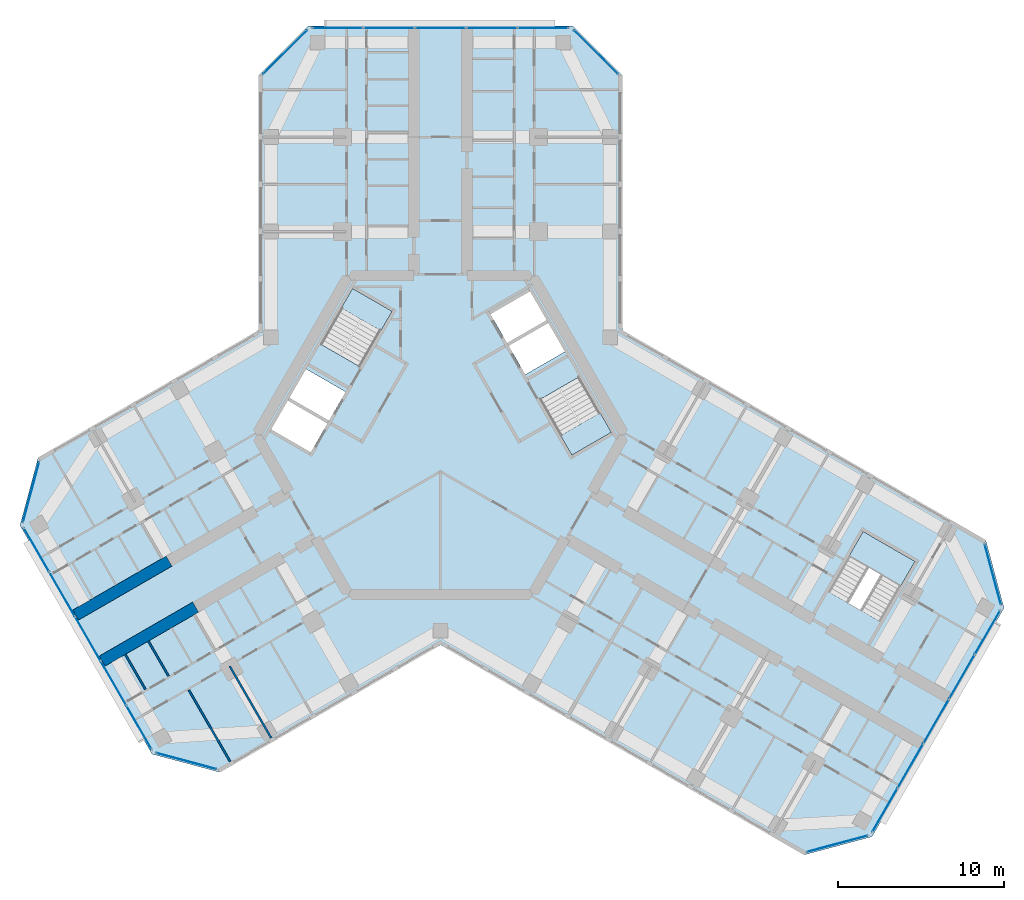
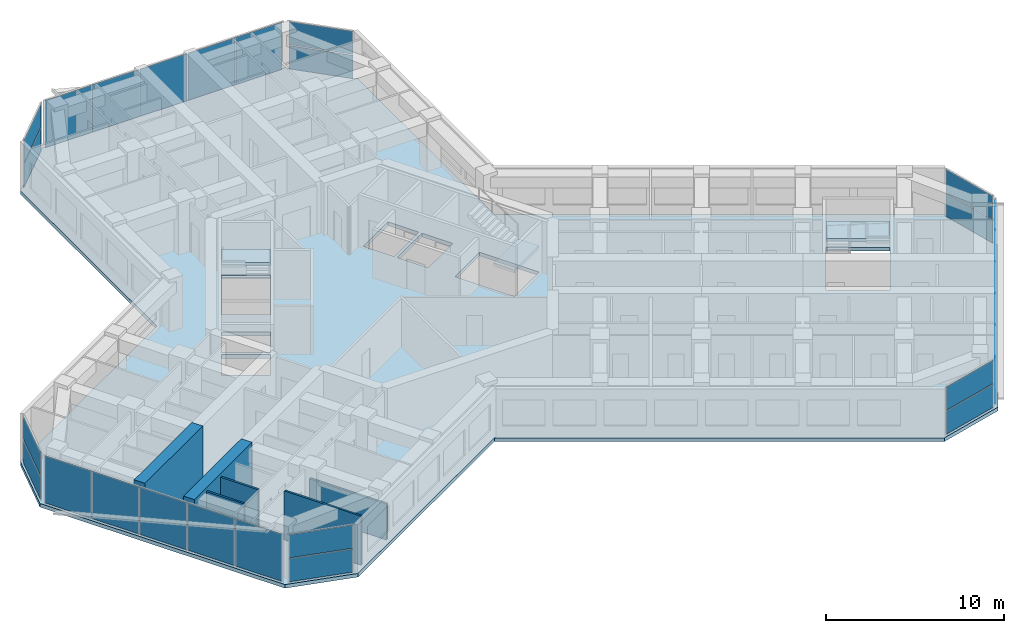
# One storey, part 7 of 16: 27 plates, 6 walls, 4 slabs, 12 elements without a shape of their own.
"""IFC4 building model written with IfcOpenShell, lengths in metres."""

from ifc_helpers import new_model, si_unit, direction, frame, frame_2d, origin, origin_2d, place, context, subcontext, project, spatial, polyline, rectangle, outline, extrude, material, layer, layer_set, type_object, element, aggregate, save


model = new_model("IFC4")

# Units and contexts
model_context = context("Model", 3, precision=1e-05, world=origin(), true_north=direction((0.0, 1.0)))
body_context = subcontext(model_context, "Body", "Model", "MODEL_VIEW")
ifc_project = project(units=[si_unit("LENGTHUNIT", "METRE"), si_unit("AREAUNIT", "SQUARE_METRE"), si_unit("VOLUMEUNIT", "CUBIC_METRE"), si_unit("PLANEANGLEUNIT", "RADIAN"), si_unit("MASSUNIT", "GRAM", prefix="KILO")], contexts=[model_context])

# Site, building, storey
site_placement = place(None, origin())
site = spatial("IfcSite", under=ifc_project, at=site_placement, CompositionType="ELEMENT")
building_placement = place(site_placement, origin())
building = spatial("IfcBuilding", under=site, at=building_placement, Name="Kosmar Iwan School Tower", CompositionType="ELEMENT")
storey_placement = place(building_placement, frame((0.0, 0.0, 222.60009765625)))
storey = spatial("IfcBuildingStorey", under=building, at=storey_placement, Name="L56", CompositionType="ELEMENT", Elevation=222.60009765625)

# Curtain wall, plates
ifc_material_1 = material(Name="Dark glass in black aluminium frame", Category="aluminium")
curtain_wall_type_1 = type_object("IfcCurtainWallType", Name="Chamfer curtain wall dark glass", PredefinedType="USERDEFINED", material=ifc_material_1)
curtain_wall_1_placement = place(storey_placement, origin())
curtain_wall_1 = element("IfcCurtainWall", 1, at=curtain_wall_1_placement, inside=storey, type_object=curtain_wall_type_1, Name="Curtain wall L56-F00", ObjectType="FACETED CURTAIN WALL", PredefinedType="USERDEFINED")
ifc_material_2 = material(Name="Dark glass", Category="glass")
ifc_layer_1 = layer(ifc_material_2, 0.028076171875)
ifc_layer_set_1 = layer_set([ifc_layer_1], Name="Dark glass panel 28")
plate_type = type_object("IfcPlateType", Name="Dark glass panel 28", PredefinedType="CURTAIN_PANEL", material=ifc_layer_set_1)
plate_1_placement = place(storey_placement, frame((23.908203125, -24.61328125, 0.059814453125), z_axis=(0.0, 0.0, 1.0), x_axis=(0.965925875495, 0.258818861462, 0.0)))
plate_1 = element("IfcPlate", 2, at=plate_1_placement, type_object=plate_type, Name="CW2 panel 1.1", PredefinedType="CURTAIN_PANEL", context=body_context, shape_type="SweptSolid", body=[
    extrude(rectangle(XDim=3.718994140625, YDim=0.028076171875, at=origin_2d()), origin(), (0.0, 0.0, 1.0), 1.5849609375),
])
plate_2_placement = place(storey_placement, frame((23.908203125, -24.61328125, 1.704833984375), z_axis=(0.0, 0.0, 1.0), x_axis=(0.965925875495, 0.258818861462, 0.0)))
plate_2 = element("IfcPlate", 3, at=plate_2_placement, type_object=plate_type, Name="CW2 panel 1.2", PredefinedType="CURTAIN_PANEL", context=body_context, shape_type="SweptSolid", body=[
    extrude(rectangle(XDim=3.718994140625, YDim=0.028076171875, at=origin_2d()), origin(), (0.0, 0.0, 1.0), 1.5849609375),
])
aggregate(curtain_wall_1, [plate_1, plate_2])

ifc_material_3 = material(Name="Dark glass in black aluminium frame", Category="aluminium")
curtain_wall_type_2 = type_object("IfcCurtainWallType", Name="Tower curtain wall dark glass", PredefinedType="USERDEFINED", material=ifc_material_3)
curtain_wall_2_placement = place(storey_placement, origin())
curtain_wall_2 = element("IfcCurtainWall", 4, at=curtain_wall_2_placement, inside=storey, type_object=curtain_wall_type_2, Name="Curtain wall L56-F01", ObjectType="UNITISED CURTAIN WALL", PredefinedType="USERDEFINED")
plate_3_placement = place(storey_placement, frame((26.764404296875, -22.592529296875, 0.059814453125), z_axis=(0.0, 0.0, 1.0), x_axis=(0.499999997325, 0.866025405329, 0.0)))
plate_3 = element("IfcPlate", 5, at=plate_3_placement, type_object=plate_type, Name="CW1 panel 1.1", PredefinedType="CURTAIN_PANEL", context=body_context, shape_type="SweptSolid", body=[
    extrude(rectangle(XDim=3.00927734375, YDim=0.028076171875, at=origin_2d()), origin(), (0.0, 0.0, 1.0), 3.22998046875),
])
plate_4_placement = place(storey_placement, frame((28.306640625, -19.921630859375, 0.059814453125), z_axis=(0.0, 0.0, 1.0), x_axis=(0.499999997325, 0.866025405329, 0.0)))
plate_4 = element("IfcPlate", 6, at=plate_4_placement, type_object=plate_type, Name="CW1 panel 2.1", PredefinedType="CURTAIN_PANEL", context=body_context, shape_type="SweptSolid", body=[
    extrude(rectangle(XDim=3.039306640625, YDim=0.028076171875, at=origin_2d()), origin(), (0.0, 0.0, 1.0), 3.22998046875),
])
plate_5_placement = place(storey_placement, frame((29.856201171875, -17.237548828125, 0.059814453125), z_axis=(0.0, 0.0, 1.0), x_axis=(0.499999997325, 0.866025405329, 0.0)))
plate_5 = element("IfcPlate", 7, at=plate_5_placement, type_object=plate_type, Name="CW1 panel 3.1", PredefinedType="CURTAIN_PANEL", context=body_context, shape_type="SweptSolid", body=[
    extrude(rectangle(XDim=3.039306640625, YDim=0.028076171875, at=origin_2d()), origin(), (0.0, 0.0, 1.0), 3.22998046875),
])
plate_6_placement = place(storey_placement, frame((31.40576171875, -14.553466796875, 0.059814453125), z_axis=(0.0, 0.0, 1.0), x_axis=(0.499999997325, 0.866025405329, 0.0)))
plate_6 = element("IfcPlate", 8, at=plate_6_placement, type_object=plate_type, Name="CW1 panel 4.1", PredefinedType="CURTAIN_PANEL", context=body_context, shape_type="SweptSolid", body=[
    extrude(rectangle(XDim=3.039306640625, YDim=0.028076171875, at=origin_2d()), origin(), (0.0, 0.0, 1.0), 3.22998046875),
])
plate_7_placement = place(storey_placement, frame((32.947998046875, -11.88232421875, 0.059814453125), z_axis=(0.0, 0.0, 1.0), x_axis=(0.499999997325, 0.866025405329, 0.0)))
plate_7 = element("IfcPlate", 9, at=plate_7_placement, type_object=plate_type, Name="CW1 panel 5.1", PredefinedType="CURTAIN_PANEL", context=body_context, shape_type="SweptSolid", body=[
    extrude(rectangle(XDim=3.00927734375, YDim=0.028076171875, at=origin_2d()), origin(), (0.0, 0.0, 1.0), 3.22998046875),
])
aggregate(curtain_wall_2, [plate_3, plate_4, plate_5, plate_6, plate_7])

curtain_wall_3_placement = place(storey_placement, origin())
curtain_wall_3 = element("IfcCurtainWall", 10, at=curtain_wall_3_placement, inside=storey, type_object=curtain_wall_type_1, Name="Curtain wall L56-F02", ObjectType="FACETED CURTAIN WALL", PredefinedType="USERDEFINED")
plate_8_placement = place(storey_placement, frame((33.269775390625, -8.3984375, 0.059814453125), z_axis=(0.0, 0.0, 1.0), x_axis=(-0.258818861462, 0.965925875495, 0.0)))
plate_8 = element("IfcPlate", 11, at=plate_8_placement, type_object=plate_type, Name="CW2 panel 1.1", PredefinedType="CURTAIN_PANEL", context=body_context, shape_type="SweptSolid", body=[
    extrude(rectangle(XDim=3.718994140625, YDim=0.028076171875, at=origin_2d()), origin(), (0.0, 0.0, 1.0), 1.5849609375),
])
plate_9_placement = place(storey_placement, frame((33.269775390625, -8.3984375, 1.704833984375), z_axis=(0.0, 0.0, 1.0), x_axis=(-0.258818861462, 0.965925875495, 0.0)))
plate_9 = element("IfcPlate", 12, at=plate_9_placement, type_object=plate_type, Name="CW2 panel 1.2", PredefinedType="CURTAIN_PANEL", context=body_context, shape_type="SweptSolid", body=[
    extrude(rectangle(XDim=3.718994140625, YDim=0.028076171875, at=origin_2d()), origin(), (0.0, 0.0, 1.0), 1.5849609375),
])
aggregate(curtain_wall_3, [plate_8, plate_9])

curtain_wall_4_placement = place(storey_placement, origin())
curtain_wall_4 = element("IfcCurtainWall", 13, at=curtain_wall_4_placement, inside=storey, type_object=curtain_wall_type_1, Name="Curtain wall L56-F05", ObjectType="FACETED CURTAIN WALL", PredefinedType="USERDEFINED")
plate_10_placement = place(storey_placement, frame((9.361572265625, 23.0615234375, 0.059814453125), z_axis=(0.0, 0.0, 1.0), x_axis=(-0.707106781187, 0.707106781187, 0.0)))
plate_10 = element("IfcPlate", 14, at=plate_10_placement, type_object=plate_type, Name="CW2 panel 1.1", PredefinedType="CURTAIN_PANEL", context=body_context, shape_type="SweptSolid", body=[
    extrude(rectangle(XDim=3.718994140625, YDim=0.028076171875, at=origin_2d()), origin(), (0.0, 0.0, 1.0), 1.5849609375),
])
plate_11_placement = place(storey_placement, frame((9.361572265625, 23.0615234375, 1.704833984375), z_axis=(0.0, 0.0, 1.0), x_axis=(-0.707106781187, 0.707106781187, 0.0)))
plate_11 = element("IfcPlate", 15, at=plate_11_placement, type_object=plate_type, Name="CW2 panel 1.2", PredefinedType="CURTAIN_PANEL", context=body_context, shape_type="SweptSolid", body=[
    extrude(rectangle(XDim=3.718994140625, YDim=0.028076171875, at=origin_2d()), origin(), (0.0, 0.0, 1.0), 1.5849609375),
])
aggregate(curtain_wall_4, [plate_10, plate_11])

curtain_wall_5_placement = place(storey_placement, origin())
curtain_wall_5 = element("IfcCurtainWall", 16, at=curtain_wall_5_placement, inside=storey, type_object=curtain_wall_type_2, Name="Curtain wall L56-F06", ObjectType="UNITISED CURTAIN WALL", PredefinedType="USERDEFINED")
plate_12_placement = place(storey_placement, frame((6.18359375, 24.52490234375, 0.059814453125), z_axis=(0.0, 0.0, 1.0), x_axis=(-1.0, 0.0, 0.0)))
plate_12 = element("IfcPlate", 17, at=plate_12_placement, type_object=plate_type, Name="CW1 panel 1.1", PredefinedType="CURTAIN_PANEL", context=body_context, shape_type="SweptSolid", body=[
    extrude(rectangle(XDim=3.00927734375, YDim=0.028076171875, at=origin_2d()), origin(), (0.0, 0.0, 1.0), 3.22998046875),
])
plate_13_placement = place(storey_placement, frame((3.099365234375, 24.52490234375, 0.059814453125), z_axis=(0.0, 0.0, 1.0), x_axis=(-1.0, 0.0, 0.0)))
plate_13 = element("IfcPlate", 18, at=plate_13_placement, type_object=plate_type, Name="CW1 panel 2.1", PredefinedType="CURTAIN_PANEL", context=body_context, shape_type="SweptSolid", body=[
    extrude(rectangle(XDim=3.039306640625, YDim=0.028076171875, at=origin_2d()), origin(), (0.0, 0.0, 1.0), 3.22998046875),
])
plate_14_placement = place(storey_placement, frame((0.0, 24.52490234375, 0.059814453125), z_axis=(0.0, 0.0, 1.0), x_axis=(-1.0, 0.0, 0.0)))
plate_14 = element("IfcPlate", 19, at=plate_14_placement, type_object=plate_type, Name="CW1 panel 3.1", PredefinedType="CURTAIN_PANEL", context=body_context, shape_type="SweptSolid", body=[
    extrude(rectangle(XDim=3.039306640625, YDim=0.028076171875, at=origin_2d()), origin(), (0.0, 0.0, 1.0), 3.22998046875),
])
plate_15_placement = place(storey_placement, frame((-3.099365234375, 24.52490234375, 0.059814453125), z_axis=(0.0, 0.0, 1.0), x_axis=(-1.0, 0.0, 0.0)))
plate_15 = element("IfcPlate", 20, at=plate_15_placement, type_object=plate_type, Name="CW1 panel 4.1", PredefinedType="CURTAIN_PANEL", context=body_context, shape_type="SweptSolid", body=[
    extrude(rectangle(XDim=3.039306640625, YDim=0.028076171875, at=origin_2d()), origin(), (0.0, 0.0, 1.0), 3.22998046875),
])
plate_16_placement = place(storey_placement, frame((-6.18359375, 24.52490234375, 0.059814453125), z_axis=(0.0, 0.0, 1.0), x_axis=(-1.0, 0.0, 0.0)))
plate_16 = element("IfcPlate", 21, at=plate_16_placement, type_object=plate_type, Name="CW1 panel 5.1", PredefinedType="CURTAIN_PANEL", context=body_context, shape_type="SweptSolid", body=[
    extrude(rectangle(XDim=3.00927734375, YDim=0.028076171875, at=origin_2d()), origin(), (0.0, 0.0, 1.0), 3.22998046875),
])
aggregate(curtain_wall_5, [plate_12, plate_13, plate_14, plate_15, plate_16])

curtain_wall_6_placement = place(storey_placement, origin())
curtain_wall_6 = element("IfcCurtainWall", 22, at=curtain_wall_6_placement, inside=storey, type_object=curtain_wall_type_1, Name="Curtain wall L56-F07", ObjectType="FACETED CURTAIN WALL", PredefinedType="USERDEFINED")
plate_17_placement = place(storey_placement, frame((-9.361572265625, 23.0615234375, 0.059814453125), z_axis=(0.0, 0.0, 1.0), x_axis=(-0.707106781187, -0.707106781187, 0.0)))
plate_17 = element("IfcPlate", 23, at=plate_17_placement, type_object=plate_type, Name="CW2 panel 1.1", PredefinedType="CURTAIN_PANEL", context=body_context, shape_type="SweptSolid", body=[
    extrude(rectangle(XDim=3.718994140625, YDim=0.028076171875, at=origin_2d()), origin(), (0.0, 0.0, 1.0), 1.5849609375),
])
plate_18_placement = place(storey_placement, frame((-9.361572265625, 23.0615234375, 1.704833984375), z_axis=(0.0, 0.0, 1.0), x_axis=(-0.707106781187, -0.707106781187, 0.0)))
plate_18 = element("IfcPlate", 24, at=plate_18_placement, type_object=plate_type, Name="CW2 panel 1.2", PredefinedType="CURTAIN_PANEL", context=body_context, shape_type="SweptSolid", body=[
    extrude(rectangle(XDim=3.718994140625, YDim=0.028076171875, at=origin_2d()), origin(), (0.0, 0.0, 1.0), 1.5849609375),
])
aggregate(curtain_wall_6, [plate_17, plate_18])

curtain_wall_7_placement = place(storey_placement, origin())
curtain_wall_7 = element("IfcCurtainWall", 25, at=curtain_wall_7_placement, inside=storey, type_object=curtain_wall_type_1, Name="Curtain wall L56-F10", ObjectType="FACETED CURTAIN WALL", PredefinedType="USERDEFINED")
plate_19_placement = place(storey_placement, frame((-24.65283203125, -3.42333984375, 0.059814453125), z_axis=(0.0, 0.0, 1.0), x_axis=(-0.258818861462, -0.965925875495, 0.0)))
plate_19 = element("IfcPlate", 26, at=plate_19_placement, type_object=plate_type, Name="CW2 panel 1.1", PredefinedType="CURTAIN_PANEL", context=body_context, shape_type="SweptSolid", body=[
    extrude(rectangle(XDim=3.718994140625, YDim=0.028076171875, at=origin_2d()), origin(), (0.0, 0.0, 1.0), 1.5849609375),
])
plate_20_placement = place(storey_placement, frame((-24.65283203125, -3.42333984375, 1.704833984375), z_axis=(0.0, 0.0, 1.0), x_axis=(-0.258818861462, -0.965925875495, 0.0)))
plate_20 = element("IfcPlate", 27, at=plate_20_placement, type_object=plate_type, Name="CW2 panel 1.2", PredefinedType="CURTAIN_PANEL", context=body_context, shape_type="SweptSolid", body=[
    extrude(rectangle(XDim=3.718994140625, YDim=0.028076171875, at=origin_2d()), origin(), (0.0, 0.0, 1.0), 1.5849609375),
])
aggregate(curtain_wall_7, [plate_19, plate_20])

curtain_wall_8_placement = place(storey_placement, origin())
curtain_wall_8 = element("IfcCurtainWall", 28, at=curtain_wall_8_placement, inside=storey, type_object=curtain_wall_type_2, Name="Curtain wall L56-F11", ObjectType="UNITISED CURTAIN WALL", PredefinedType="USERDEFINED")
plate_21_placement = place(storey_placement, frame((-24.3310546875, -6.907470703125, 0.059814453125), z_axis=(0.0, 0.0, 1.0), x_axis=(0.499999997325, -0.866025405329, 0.0)))
plate_21 = element("IfcPlate", 29, at=plate_21_placement, type_object=plate_type, Name="CW1 panel 1.1", PredefinedType="CURTAIN_PANEL", context=body_context, shape_type="SweptSolid", body=[
    extrude(rectangle(XDim=3.00927734375, YDim=0.028076171875, at=origin_2d()), origin(), (0.0, 0.0, 1.0), 3.22998046875),
])
plate_22_placement = place(storey_placement, frame((-22.788818359375, -9.578369140625, 0.059814453125), z_axis=(0.0, 0.0, 1.0), x_axis=(0.499999997325, -0.866025405329, 0.0)))
plate_22 = element("IfcPlate", 30, at=plate_22_placement, type_object=plate_type, Name="CW1 panel 2.1", PredefinedType="CURTAIN_PANEL", context=body_context, shape_type="SweptSolid", body=[
    extrude(rectangle(XDim=3.039306640625, YDim=0.028076171875, at=origin_2d()), origin(), (0.0, 0.0, 1.0), 3.22998046875),
])
plate_23_placement = place(storey_placement, frame((-21.2392578125, -12.262451171875, 0.059814453125), z_axis=(0.0, 0.0, 1.0), x_axis=(0.499999997325, -0.866025405329, 0.0)))
plate_23 = element("IfcPlate", 31, at=plate_23_placement, type_object=plate_type, Name="CW1 panel 3.1", PredefinedType="CURTAIN_PANEL", context=body_context, shape_type="SweptSolid", body=[
    extrude(rectangle(XDim=3.039306640625, YDim=0.028076171875, at=origin_2d()), origin(), (0.0, 0.0, 1.0), 3.22998046875),
])
plate_24_placement = place(storey_placement, frame((-19.689697265625, -14.946533203125, 0.059814453125), z_axis=(0.0, 0.0, 1.0), x_axis=(0.499999997325, -0.866025405329, 0.0)))
plate_24 = element("IfcPlate", 32, at=plate_24_placement, type_object=plate_type, Name="CW1 panel 4.1", PredefinedType="CURTAIN_PANEL", context=body_context, shape_type="SweptSolid", body=[
    extrude(rectangle(XDim=3.039306640625, YDim=0.028076171875, at=origin_2d()), origin(), (0.0, 0.0, 1.0), 3.22998046875),
])
plate_25_placement = place(storey_placement, frame((-18.1474609375, -17.61767578125, 0.059814453125), z_axis=(0.0, 0.0, 1.0), x_axis=(0.499999997325, -0.866025405329, 0.0)))
plate_25 = element("IfcPlate", 33, at=plate_25_placement, type_object=plate_type, Name="CW1 panel 5.1", PredefinedType="CURTAIN_PANEL", context=body_context, shape_type="SweptSolid", body=[
    extrude(rectangle(XDim=3.00927734375, YDim=0.028076171875, at=origin_2d()), origin(), (0.0, 0.0, 1.0), 3.22998046875),
])
aggregate(curtain_wall_8, [plate_21, plate_22, plate_23, plate_24, plate_25])

curtain_wall_9_placement = place(storey_placement, origin())
curtain_wall_9 = element("IfcCurtainWall", 34, at=curtain_wall_9_placement, inside=storey, type_object=curtain_wall_type_1, Name="Curtain wall L56-F12", ObjectType="FACETED CURTAIN WALL", PredefinedType="USERDEFINED")
plate_26_placement = place(storey_placement, frame((-15.291015625, -19.63818359375, 0.059814453125), z_axis=(0.0, 0.0, 1.0), x_axis=(0.965925875495, -0.258818861462, 0.0)))
plate_26 = element("IfcPlate", 35, at=plate_26_placement, type_object=plate_type, Name="CW2 panel 1.1", PredefinedType="CURTAIN_PANEL", context=body_context, shape_type="SweptSolid", body=[
    extrude(rectangle(XDim=3.718994140625, YDim=0.028076171875, at=origin_2d()), origin(), (0.0, 0.0, 1.0), 1.5849609375),
])
plate_27_placement = place(storey_placement, frame((-15.291015625, -19.63818359375, 1.704833984375), z_axis=(0.0, 0.0, 1.0), x_axis=(0.965925875495, -0.258818861462, 0.0)))
plate_27 = element("IfcPlate", 36, at=plate_27_placement, type_object=plate_type, Name="CW2 panel 1.2", PredefinedType="CURTAIN_PANEL", context=body_context, shape_type="SweptSolid", body=[
    extrude(rectangle(XDim=3.718994140625, YDim=0.028076171875, at=origin_2d()), origin(), (0.0, 0.0, 1.0), 1.5849609375),
])
aggregate(curtain_wall_9, [plate_26, plate_27])

# Stair, slab
ifc_material_4 = material(Name="Concrete C35/45", Category="concrete")
stair_type_1 = type_object("IfcStairType", Name="Escape stair 3600", PredefinedType="HALF_TURN_STAIR", material=ifc_material_4)
stair_1_placement = place(storey_placement, origin())
stair_1 = element("IfcStair", 37, at=stair_1_placement, inside=storey, type_object=stair_type_1, Name="Stair WS3 L56", PredefinedType="HALF_TURN_STAIR")
ifc_material_5 = material(Name="Concrete C35/45", Category="concrete")
ifc_layer_2 = layer(ifc_material_5, 0.199951171875)
ifc_layer_set_2 = layer_set([ifc_layer_2], Name="Escape stair landing 200")
slab_type_1 = type_object("IfcSlabType", Name="Escape stair landing 200", PredefinedType="LANDING", material=ifc_layer_set_2)
slab_1_placement = place(storey_placement, frame((0.0, 0.0, 1.599853515625)))
slab_1 = element("IfcSlab", 38, at=slab_1_placement, type_object=slab_type_1, Name="WS3 landing 1", PredefinedType="LANDING", context=body_context, shape_type="SweptSolid", body=[
    extrude(outline(polyline([(24.607421875, -7.27880859375), (27.72509765625, -9.078857421875), (28.574951171875, -7.606689453125), (25.457275390625, -5.806640625), (24.607421875, -7.27880859375)])), origin(), (0.0, 0.0, 1.0), 0.199951171875),
])
aggregate(stair_1, [slab_1])

# Slab
ifc_material_6 = material(Name="Concrete C35/45", Category="concrete")
ifc_layer_3 = layer(ifc_material_6, 0.25)
ifc_layer_set_3 = layer_set([ifc_layer_3], Name="Floor slab 250")
slab_type_2 = type_object("IfcSlabType", Name="Floor slab 250", PredefinedType="FLOOR", material=ifc_layer_set_3)
slab_2_placement = place(storey_placement, frame((0.0, 0.0, -0.25)))
element("IfcSlab", 39, at=slab_2_placement, inside=storey, type_object=slab_type_2, Name="L56 floor slab", PredefinedType="FLOOR", context=body_context, shape_type="SweptSolid", body=[
    extrude(outline(polyline([(21.891357421875, -25.282958984375), (25.989501953125, -24.184814453125), (33.939453125, -10.4150390625), (32.84130859375, -6.317138671875), (10.949951171875, 6.322021484375), (10.949951171875, 21.64990234375), (7.949951171875, 24.64990234375), (-7.949951171875, 24.64990234375), (-10.949951171875, 21.64990234375), (-10.949951171875, 6.322021484375), (-24.224365234375, -1.342041015625), (-25.322509765625, -5.440185546875), (-17.37255859375, -19.2099609375), (-13.2744140625, -20.307861328125), (0.0, -12.64404296875), (21.891357421875, -25.282958984375)]), holes=[polyline([(7.91259765625, -1.205078125), (10.294189453125, 0.169921875), (8.3642578125, 3.5126953125), (5.982666015625, 2.1376953125), (7.91259765625, -1.205078125)]), polyline([(-2.91259765625, 7.455078125), (-5.294189453125, 8.830078125), (-7.22412109375, 5.4873046875), (-4.8427734375, 4.1123046875), (-2.91259765625, 7.455078125)]), polyline([(-5.712646484375, 2.60546875), (-8.09423828125, 3.98046875), (-9.09423828125, 2.248291015625), (-6.712646484375, 0.873291015625), (-5.712646484375, 2.60546875)]), polyline([(-6.812744140625, 0.7001953125), (-9.1943359375, 2.0751953125), (-10.1943359375, 0.343017578125), (-7.812744140625, -1.031982421875), (-6.812744140625, 0.7001953125)]), polyline([(5.112548828125, 3.64453125), (7.494140625, 5.01953125), (6.494140625, 6.751708984375), (4.112548828125, 5.376708984375), (5.112548828125, 3.64453125)]), polyline([(4.0126953125, 5.5498046875), (6.394287109375, 6.9248046875), (5.394287109375, 8.656982421875), (3.0126953125, 7.281982421875), (4.0126953125, 5.5498046875)]), polyline([(23.367431640625, -9.426513671875), (26.485107421875, -11.2265625), (28.574951171875, -7.606689453125), (25.457275390625, -5.806640625), (23.367431640625, -9.426513671875)])]), origin(), (0.0, 0.0, 1.0), 0.25),
])

# Stair, slab
ifc_material_7 = material(Name="Concrete C35/45", Category="concrete")
stair_type_2 = type_object("IfcStairType", Name="Core stair 2750", PredefinedType="HALF_TURN_STAIR", material=ifc_material_7)
stair_2_placement = place(storey_placement, origin())
stair_2 = element("IfcStair", 40, at=stair_2_placement, inside=storey, type_object=stair_type_2, Name="Stair ST2 L56", PredefinedType="HALF_TURN_STAIR")
ifc_material_8 = material(Name="Concrete C35/45", Category="concrete")
ifc_layer_4 = layer(ifc_material_8, 0.199951171875)
ifc_layer_set_4 = layer_set([ifc_layer_4], Name="Stair landing 200")
slab_type_3 = type_object("IfcSlabType", Name="Stair landing 200", PredefinedType="LANDING", material=ifc_layer_set_4)
slab_3_placement = place(storey_placement, frame((0.0, 0.0, 1.599853515625)))
slab_3 = element("IfcSlab", 41, at=slab_3_placement, type_object=slab_type_3, Name="ST2 landing 1", PredefinedType="LANDING", context=body_context, shape_type="SweptSolid", body=[
    extrude(outline(polyline([(-2.91259765625, 7.455078125), (-5.294189453125, 8.830078125), (-5.97412109375, 7.65234375), (-3.5927734375, 6.27734375), (-2.91259765625, 7.455078125)])), origin(), (0.0, 0.0, 1.0), 0.199951171875),
])
aggregate(stair_2, [slab_3])

stair_3_placement = place(storey_placement, origin())
stair_3 = element("IfcStair", 42, at=stair_3_placement, inside=storey, type_object=stair_type_2, Name="Stair ST1 L56", PredefinedType="HALF_TURN_STAIR")
slab_4_placement = place(storey_placement, frame((0.0, 0.0, 1.599853515625)))
slab_4 = element("IfcSlab", 43, at=slab_4_placement, type_object=slab_type_3, Name="ST1 landing 1", PredefinedType="LANDING", context=body_context, shape_type="SweptSolid", body=[
    extrude(outline(polyline([(7.91259765625, -1.205078125), (10.294189453125, 0.169921875), (9.6142578125, 1.34765625), (7.232666015625, -0.02734375), (7.91259765625, -1.205078125)])), origin(), (0.0, 0.0, 1.0), 0.199951171875),
])
aggregate(stair_3, [slab_4])

# Walls
ifc_material_9 = material(Name="Concrete C50/60", Category="concrete")
ifc_layer_5 = layer(ifc_material_9, 0.699951171875)
ifc_layer_set_5 = layer_set([ifc_layer_5], Name="Corridor buttress wall 700")
wall_type_1 = type_object("IfcWallType", Name="Corridor buttress wall 700", PredefinedType="SHEAR", material=ifc_layer_set_5)
wall_1_placement = place(storey_placement, frame((-14.7451171875, -10.360595703125, 0.0), z_axis=(0.0, 0.0, 1.0), x_axis=(-0.866027848477, -0.499995765644, 0.0)))
element("IfcWall", 44, at=wall_1_placement, inside=storey, type_object=wall_type_1, Name="Corridor wall BL bay 2", PredefinedType="SHEAR", context=body_context, shape_type="SweptSolid", body=[
    extrude(rectangle(XDim=6.4951171875, YDim=0.699951171875, at=frame_2d((3.24755859375, 0.0))), origin(), (0.0, 0.0, 1.0), 3.599853515625),
])
wall_2_placement = place(storey_placement, frame((-16.34521484375, -7.58935546875, 0.0), z_axis=(0.0, 0.0, 1.0), x_axis=(-0.866018451174, -0.500012042081, 0.0)))
element("IfcWall", 45, at=wall_2_placement, inside=storey, type_object=wall_type_1, Name="Corridor wall BR bay 2", PredefinedType="SHEAR", context=body_context, shape_type="SweptSolid", body=[
    extrude(rectangle(XDim=6.494873046875, YDim=0.699951171875, at=frame_2d((3.24755859375, 0.0))), origin(), (0.0, 0.0, 1.0), 3.599853515625),
])
ifc_material_10 = material(Name="Gypsum board on steel studs", Category="steel")
ifc_layer_6 = layer(ifc_material_10, 0.1201171875)
ifc_layer_set_6 = layer_set([ifc_layer_6], Name="Dwelling partition 120")
wall_type_2 = type_object("IfcWallType", Name="Dwelling partition 120", PredefinedType="PARTITIONING", material=ifc_layer_set_6)
wall_3_placement = place(storey_placement, frame((-12.690185546875, -13.919921875, 0.0), z_axis=(0.0, 0.0, 1.0), x_axis=(0.500011847778, -0.866018563358, 0.0)))
element("IfcWall", 46, at=wall_3_placement, inside=storey, type_object=wall_type_2, Name="Partition L56-BL1-X2", PredefinedType="PARTITIONING", context=body_context, shape_type="SweptSolid", body=[
    extrude(rectangle(XDim=4.990234375, YDim=0.1201171875, at=frame_2d((2.4951171875, 0.0))), origin(), (0.0, 0.0, 1.0), 2.449951171875),
])
wall_4_placement = place(storey_placement, frame((-15.158447265625, -15.344970703125, 0.0), z_axis=(0.0, 0.0, 1.0), x_axis=(0.500011847778, -0.866018563358, 0.0)))
element("IfcWall", 47, at=wall_4_placement, inside=storey, type_object=wall_type_2, Name="Partition L56-BL1-X3", PredefinedType="PARTITIONING", context=body_context, shape_type="SweptSolid", body=[
    extrude(rectangle(XDim=4.990234375, YDim=0.1201171875, at=frame_2d((2.4951171875, 0.0))), origin(), (0.0, 0.0, 1.0), 3.349853515625),
])
wall_5_placement = place(storey_placement, frame((-17.589599609375, -12.406982421875, 0.0), z_axis=(0.0, 0.0, 1.0), x_axis=(0.499959183527, -0.866048967903, 0.0)))
element("IfcWall", 48, at=wall_5_placement, inside=storey, type_object=wall_type_2, Name="Partition L56-BL1-Y6", PredefinedType="PARTITIONING", context=body_context, shape_type="SweptSolid", body=[
    extrude(rectangle(XDim=2.440185546875, YDim=0.1201171875, at=frame_2d((1.22021484375, 0.0))), origin(), (0.0, 0.0, 1.0), 3.349853515625),
])
wall_6_placement = place(storey_placement, frame((-18.981201171875, -13.21044921875, 0.0), z_axis=(0.0, 0.0, 1.0), x_axis=(0.500077547548, -0.865980627057, 0.0)))
element("IfcWall", 49, at=wall_6_placement, inside=storey, type_object=wall_type_2, Name="Partition L56-BL1-Y7", PredefinedType="PARTITIONING", context=body_context, shape_type="SweptSolid", body=[
    extrude(rectangle(XDim=2.43994140625, YDim=0.1201171875, at=frame_2d((1.219970703125, 0.0))), origin(), (0.0, 0.0, 1.0), 3.349853515625),
])

save(model, "model.ifc")
